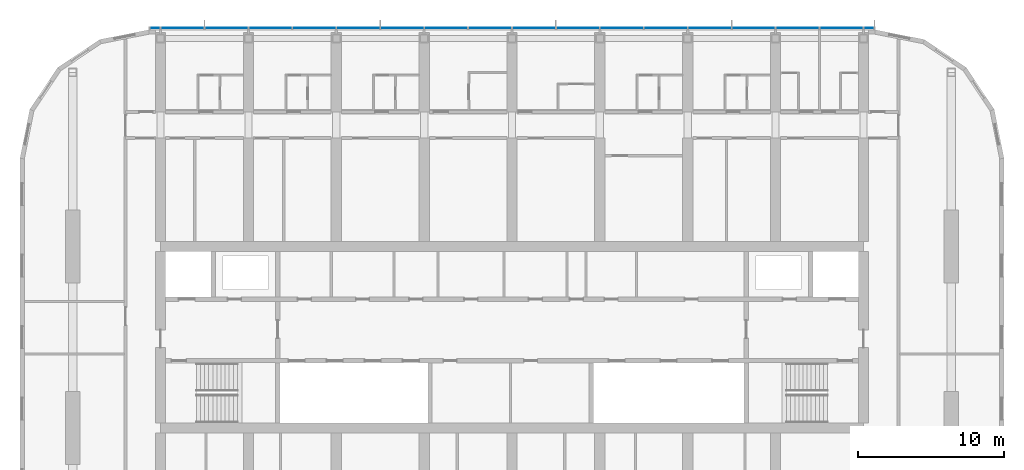
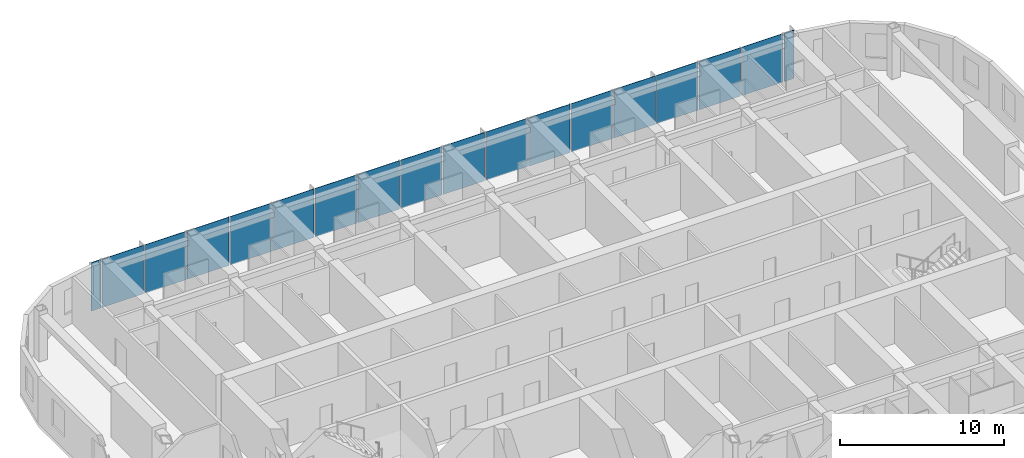
# One storey, part 9 of 23: 18 plates, 1 element without a shape of its own.
"""IFC4 building model written with IfcOpenShell, lengths in metres."""

from ifc_helpers import new_model, si_unit, direction, frame, origin, origin_2d, place, context, subcontext, project, spatial, rectangle, extrude, material, layer, layer_set, type_object, element, aggregate, save


model = new_model("IFC4")

# Units and contexts
model_context = context("Model", 3, precision=1e-05, world=origin(), true_north=direction((0.0, 1.0)))
body_context = subcontext(model_context, "Body", "Model", "MODEL_VIEW")
ifc_project = project(units=[si_unit("LENGTHUNIT", "METRE"), si_unit("AREAUNIT", "SQUARE_METRE"), si_unit("VOLUMEUNIT", "CUBIC_METRE"), si_unit("PLANEANGLEUNIT", "RADIAN"), si_unit("MASSUNIT", "GRAM", prefix="KILO")], contexts=[model_context])

# Site, building, storey
site_placement = place(None, origin())
site = spatial("IfcSite", under=ifc_project, at=site_placement, CompositionType="ELEMENT")
building_placement = place(site_placement, origin())
building = spatial("IfcBuilding", under=site, at=building_placement, Name="Orbita Commons", CompositionType="ELEMENT")
storey_placement = place(building_placement, frame((0.0, 0.0, 254.050048828125)))
storey = spatial("IfcBuildingStorey", under=building, at=storey_placement, Name="L63", CompositionType="ELEMENT", Elevation=254.050048828125)

# Curtain wall, plates
ifc_material_1 = material(Name="Anodised aluminium frame, pale silver", Category="aluminium")
curtain_wall_type = type_object("IfcCurtainWallType", Name="Unitised curtain wall CW-U, full-height vision", PredefinedType="NOTDEFINED", material=ifc_material_1)
curtain_wall_placement = place(storey_placement, origin())
curtain_wall = element("IfcCurtainWall", 1, at=curtain_wall_placement, inside=storey, type_object=curtain_wall_type, Name="Curtain wall north L63", PredefinedType="NOTDEFINED")
ifc_material_2 = material(Name="Clear double glazing", Category="glass")
ifc_layer = layer(ifc_material_2, 0.031982421875)
ifc_layer_set = layer_set([ifc_layer], Name="Clear double glazing")
plate_type = type_object("IfcPlateType", Name="Full-height vision panel, clear glazing 32", PredefinedType="CURTAIN_PANEL", material=ifc_layer_set)
plate_1_placement = place(storey_placement, frame((66.3798828125, 53.110107421875, -0.150146484375), z_axis=(0.0, 0.0, 1.0), x_axis=(-1.0, 0.0, 0.0)))
plate_1 = element("IfcPlate", 2, at=plate_1_placement, type_object=plate_type, Name="Panel 1.1 CW-L63-N", PredefinedType="CURTAIN_PANEL", context=body_context, shape_type="SweptSolid", body=[
    extrude(rectangle(XDim=0.679931640625, YDim=0.031982421875, at=origin_2d()), origin(), (0.0, 0.0, 1.0), 3.60009765625),
])
plate_2_placement = place(storey_placement, frame((64.5, 53.110107421875, -0.150146484375), z_axis=(0.0, 0.0, 1.0), x_axis=(-1.0, 0.0, 0.0)))
plate_2 = element("IfcPlate", 3, at=plate_2_placement, type_object=plate_type, Name="Panel 2.1 CW-L63-N", PredefinedType="CURTAIN_PANEL", context=body_context, shape_type="SweptSolid", body=[
    extrude(rectangle(XDim=2.919921875, YDim=0.031982421875, at=origin_2d()), origin(), (0.0, 0.0, 1.0), 3.60009765625),
])
plate_3_placement = place(storey_placement, frame((61.5, 53.110107421875, -0.150146484375), z_axis=(0.0, 0.0, 1.0), x_axis=(-1.0, 0.0, 0.0)))
plate_3 = element("IfcPlate", 4, at=plate_3_placement, type_object=plate_type, Name="Panel 3.1 CW-L63-N", PredefinedType="CURTAIN_PANEL", context=body_context, shape_type="SweptSolid", body=[
    extrude(rectangle(XDim=2.919921875, YDim=0.031982421875, at=origin_2d()), origin(), (0.0, 0.0, 1.0), 3.60009765625),
])
plate_4_placement = place(storey_placement, frame((58.5, 53.110107421875, -0.150146484375), z_axis=(0.0, 0.0, 1.0), x_axis=(-1.0, 0.0, 0.0)))
plate_4 = element("IfcPlate", 5, at=plate_4_placement, type_object=plate_type, Name="Panel 4.1 CW-L63-N", PredefinedType="CURTAIN_PANEL", context=body_context, shape_type="SweptSolid", body=[
    extrude(rectangle(XDim=2.919921875, YDim=0.031982421875, at=origin_2d()), origin(), (0.0, 0.0, 1.0), 3.60009765625),
])
plate_5_placement = place(storey_placement, frame((55.5, 53.110107421875, -0.150146484375), z_axis=(0.0, 0.0, 1.0), x_axis=(-1.0, 0.0, 0.0)))
plate_5 = element("IfcPlate", 6, at=plate_5_placement, type_object=plate_type, Name="Panel 5.1 CW-L63-N", PredefinedType="CURTAIN_PANEL", context=body_context, shape_type="SweptSolid", body=[
    extrude(rectangle(XDim=2.919921875, YDim=0.031982421875, at=origin_2d()), origin(), (0.0, 0.0, 1.0), 3.60009765625),
])
plate_6_placement = place(storey_placement, frame((52.5, 53.110107421875, -0.150146484375), z_axis=(0.0, 0.0, 1.0), x_axis=(-1.0, 0.0, 0.0)))
plate_6 = element("IfcPlate", 7, at=plate_6_placement, type_object=plate_type, Name="Panel 6.1 CW-L63-N", PredefinedType="CURTAIN_PANEL", context=body_context, shape_type="SweptSolid", body=[
    extrude(rectangle(XDim=2.919921875, YDim=0.031982421875, at=origin_2d()), origin(), (0.0, 0.0, 1.0), 3.60009765625),
])
plate_7_placement = place(storey_placement, frame((49.5, 53.110107421875, -0.150146484375), z_axis=(0.0, 0.0, 1.0), x_axis=(-1.0, 0.0, 0.0)))
plate_7 = element("IfcPlate", 8, at=plate_7_placement, type_object=plate_type, Name="Panel 7.1 CW-L63-N", PredefinedType="CURTAIN_PANEL", context=body_context, shape_type="SweptSolid", body=[
    extrude(rectangle(XDim=2.919921875, YDim=0.031982421875, at=origin_2d()), origin(), (0.0, 0.0, 1.0), 3.60009765625),
])
plate_8_placement = place(storey_placement, frame((46.5, 53.110107421875, -0.150146484375), z_axis=(0.0, 0.0, 1.0), x_axis=(-1.0, 0.0, 0.0)))
plate_8 = element("IfcPlate", 9, at=plate_8_placement, type_object=plate_type, Name="Panel 8.1 CW-L63-N", PredefinedType="CURTAIN_PANEL", context=body_context, shape_type="SweptSolid", body=[
    extrude(rectangle(XDim=2.919921875, YDim=0.031982421875, at=origin_2d()), origin(), (0.0, 0.0, 1.0), 3.60009765625),
])
plate_9_placement = place(storey_placement, frame((43.5, 53.110107421875, -0.150146484375), z_axis=(0.0, 0.0, 1.0), x_axis=(-1.0, 0.0, 0.0)))
plate_9 = element("IfcPlate", 10, at=plate_9_placement, type_object=plate_type, Name="Panel 9.1 CW-L63-N", PredefinedType="CURTAIN_PANEL", context=body_context, shape_type="SweptSolid", body=[
    extrude(rectangle(XDim=2.919921875, YDim=0.031982421875, at=origin_2d()), origin(), (0.0, 0.0, 1.0), 3.60009765625),
])
plate_10_placement = place(storey_placement, frame((40.5, 53.110107421875, -0.150146484375), z_axis=(0.0, 0.0, 1.0), x_axis=(-1.0, 0.0, 0.0)))
plate_10 = element("IfcPlate", 11, at=plate_10_placement, type_object=plate_type, Name="Panel 10.1 CW-L63-N", PredefinedType="CURTAIN_PANEL", context=body_context, shape_type="SweptSolid", body=[
    extrude(rectangle(XDim=2.919921875, YDim=0.031982421875, at=origin_2d()), origin(), (0.0, 0.0, 1.0), 3.60009765625),
])
plate_11_placement = place(storey_placement, frame((37.5, 53.110107421875, -0.150146484375), z_axis=(0.0, 0.0, 1.0), x_axis=(-1.0, 0.0, 0.0)))
plate_11 = element("IfcPlate", 12, at=plate_11_placement, type_object=plate_type, Name="Panel 11.1 CW-L63-N", PredefinedType="CURTAIN_PANEL", context=body_context, shape_type="SweptSolid", body=[
    extrude(rectangle(XDim=2.919921875, YDim=0.031982421875, at=origin_2d()), origin(), (0.0, 0.0, 1.0), 3.60009765625),
])
plate_12_placement = place(storey_placement, frame((34.5, 53.110107421875, -0.150146484375), z_axis=(0.0, 0.0, 1.0), x_axis=(-1.0, 0.0, 0.0)))
plate_12 = element("IfcPlate", 13, at=plate_12_placement, type_object=plate_type, Name="Panel 12.1 CW-L63-N", PredefinedType="CURTAIN_PANEL", context=body_context, shape_type="SweptSolid", body=[
    extrude(rectangle(XDim=2.919921875, YDim=0.031982421875, at=origin_2d()), origin(), (0.0, 0.0, 1.0), 3.60009765625),
])
plate_13_placement = place(storey_placement, frame((31.5, 53.110107421875, -0.150146484375), z_axis=(0.0, 0.0, 1.0), x_axis=(-1.0, 0.0, 0.0)))
plate_13 = element("IfcPlate", 14, at=plate_13_placement, type_object=plate_type, Name="Panel 13.1 CW-L63-N", PredefinedType="CURTAIN_PANEL", context=body_context, shape_type="SweptSolid", body=[
    extrude(rectangle(XDim=2.919921875, YDim=0.031982421875, at=origin_2d()), origin(), (0.0, 0.0, 1.0), 3.60009765625),
])
plate_14_placement = place(storey_placement, frame((28.5, 53.110107421875, -0.150146484375), z_axis=(0.0, 0.0, 1.0), x_axis=(-1.0, 0.0, 0.0)))
plate_14 = element("IfcPlate", 15, at=plate_14_placement, type_object=plate_type, Name="Panel 14.1 CW-L63-N", PredefinedType="CURTAIN_PANEL", context=body_context, shape_type="SweptSolid", body=[
    extrude(rectangle(XDim=2.919921875, YDim=0.031982421875, at=origin_2d()), origin(), (0.0, 0.0, 1.0), 3.60009765625),
])
plate_15_placement = place(storey_placement, frame((25.5, 53.110107421875, -0.150146484375), z_axis=(0.0, 0.0, 1.0), x_axis=(-1.0, 0.0, 0.0)))
plate_15 = element("IfcPlate", 16, at=plate_15_placement, type_object=plate_type, Name="Panel 15.1 CW-L63-N", PredefinedType="CURTAIN_PANEL", context=body_context, shape_type="SweptSolid", body=[
    extrude(rectangle(XDim=2.919921875, YDim=0.031982421875, at=origin_2d()), origin(), (0.0, 0.0, 1.0), 3.60009765625),
])
plate_16_placement = place(storey_placement, frame((22.5, 53.110107421875, -0.150146484375), z_axis=(0.0, 0.0, 1.0), x_axis=(-1.0, 0.0, 0.0)))
plate_16 = element("IfcPlate", 17, at=plate_16_placement, type_object=plate_type, Name="Panel 16.1 CW-L63-N", PredefinedType="CURTAIN_PANEL", context=body_context, shape_type="SweptSolid", body=[
    extrude(rectangle(XDim=2.919921875, YDim=0.031982421875, at=origin_2d()), origin(), (0.0, 0.0, 1.0), 3.60009765625),
])
plate_17_placement = place(storey_placement, frame((19.5, 53.110107421875, -0.150146484375), z_axis=(0.0, 0.0, 1.0), x_axis=(-1.0, 0.0, 0.0)))
plate_17 = element("IfcPlate", 18, at=plate_17_placement, type_object=plate_type, Name="Panel 17.1 CW-L63-N", PredefinedType="CURTAIN_PANEL", context=body_context, shape_type="SweptSolid", body=[
    extrude(rectangle(XDim=2.919921875, YDim=0.031982421875, at=origin_2d()), origin(), (0.0, 0.0, 1.0), 3.60009765625),
])
plate_18_placement = place(storey_placement, frame((17.6201171875, 53.110107421875, -0.150146484375), z_axis=(0.0, 0.0, 1.0), x_axis=(-1.0, 0.0, 0.0)))
plate_18 = element("IfcPlate", 19, at=plate_18_placement, type_object=plate_type, Name="Panel 18.1 CW-L63-N", PredefinedType="CURTAIN_PANEL", context=body_context, shape_type="SweptSolid", body=[
    extrude(rectangle(XDim=0.679931640625, YDim=0.031982421875, at=origin_2d()), origin(), (0.0, 0.0, 1.0), 3.60009765625),
])
aggregate(curtain_wall, [plate_1, plate_2, plate_3, plate_4, plate_5, plate_6, plate_7, plate_8, plate_9, plate_10, plate_11, plate_12, plate_13, plate_14, plate_15, plate_16, plate_17, plate_18])

save(model, "model.ifc")
